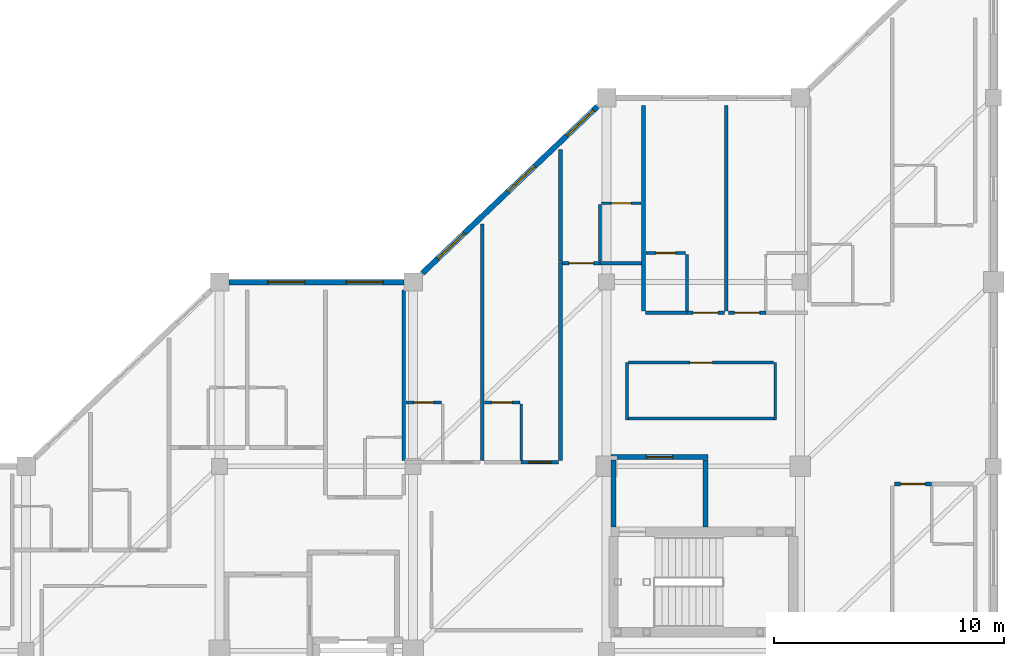
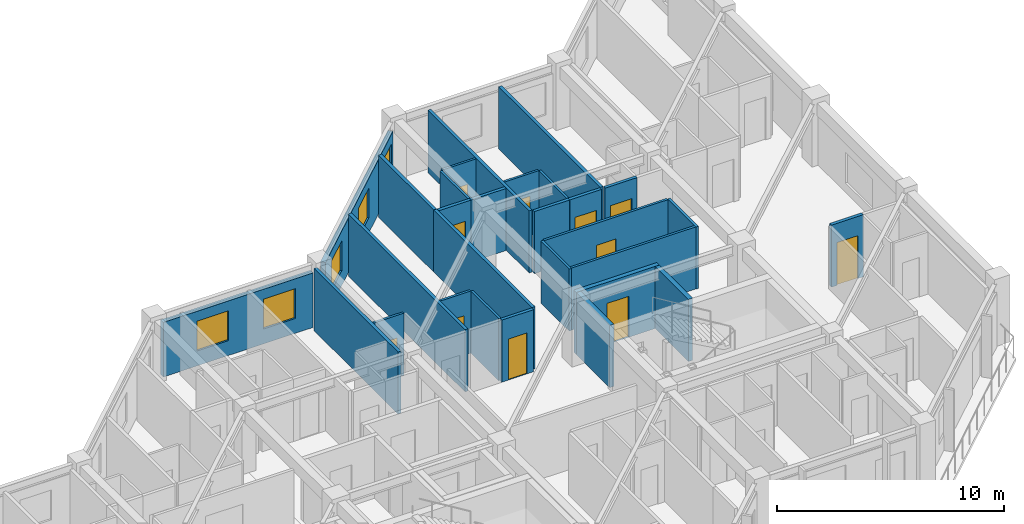
# One storey, part 13 of 17: 29 walls, 11 doors, 5 windows, 16 openings.
"""IFC4 building model written with IfcOpenShell, lengths in metres."""

from ifc_helpers import new_model, si_unit, direction, frame, frame_2d, origin, place, context, subcontext, project, spatial, rectangle, extrude, material, layer, layer_set, type_object, element, fill, save


model = new_model("IFC4")

# Units and contexts
model_context = context("Model", 3, precision=1e-05, world=origin(), true_north=direction((0.0, 1.0)))
body_context = subcontext(model_context, "Body", "Model", "MODEL_VIEW")
ifc_project = project(units=[si_unit("LENGTHUNIT", "METRE"), si_unit("AREAUNIT", "SQUARE_METRE"), si_unit("VOLUMEUNIT", "CUBIC_METRE"), si_unit("PLANEANGLEUNIT", "RADIAN"), si_unit("MASSUNIT", "GRAM", prefix="KILO")], contexts=[model_context])

# Site, building, storey
site_placement = place(None, origin())
site = spatial("IfcSite", under=ifc_project, at=site_placement, CompositionType="ELEMENT")
building_placement = place(site_placement, origin())
building = spatial("IfcBuilding", under=site, at=building_placement, Name="Naruveol Harbour Congress Hotel", CompositionType="ELEMENT")
storey_placement = place(building_placement, frame((0.0, 0.0, 25.199951171875)))
storey = spatial("IfcBuildingStorey", under=building, at=storey_placement, Name="L05", CompositionType="ELEMENT", Elevation=25.199951171875)

# Wall, opening, door
ifc_material_1 = material(Name="Moisture-Resistant Gypsum Partition", Category="gypsum")
ifc_layer_1 = layer(ifc_material_1, 0.114990234375)
ifc_layer_set_1 = layer_set([ifc_layer_1], Name="Moisture-Resistant Gypsum Partition")
wall_type_1 = type_object("IfcWallType", Name="BATHROOM MOISTURE PARTITION WALL 115", PredefinedType="PARTITIONING", material=ifc_layer_set_1)
wall_1_placement = place(storey_placement, frame((159.300048828125, 34.77001953125, 0.0), z_axis=(0.0, 0.0, 1.0), x_axis=(1.0, 0.0, 0.0)))
wall_1 = element("IfcWall", 1, at=wall_1_placement, inside=storey, type_object=wall_type_1, Name="Bathroom north wall 0646 PW-115", PredefinedType="PARTITIONING", context=body_context, shape_type="SweptSolid", body=[
    extrude(rectangle(XDim=1.530029296875, YDim=0.114990234375, at=frame_2d((0.76513671875, 0.0))), origin(), (0.0, 0.0, 1.0), 3.3349609375),
])
opening_1_placement = place(wall_1_placement, frame((0.3349609375, 0.0, 0.0)))
opening_1 = element("IfcOpeningElement", 2, at=opening_1_placement, cuts=wall_1, Name="Opening BD-RM0646", PredefinedType="OPENING", context=body_context, shape_type="SweptSolid", body=[
    extrude(rectangle(XDim=0.860107421875, YDim=2.1201171875, at=frame_2d((0.43017578125, 1.06005859375))), frame((0.0, 0.0673828125, 0.0), z_axis=(0.0, -1.0, 0.0), x_axis=(1.0, 0.0, 0.0)), (0.0, 0.0, 1.0), 0.135009765625),
])
ifc_material_2 = material(Name="Timber & Steel Acoustic Leaf", Category="steel")
door_type_1 = type_object("IfcDoorType", Name="GUEST BATHROOM DOOR 860X2120", OperationType="NOTDEFINED", PredefinedType="DOOR", material=ifc_material_2)
door_1_placement = place(opening_1_placement, origin())
door_1 = element("IfcDoor", 3, at=door_1_placement, inside=storey, type_object=door_type_1, Name="Bathroom Door 0646", OperationType="SINGLE_SWING_RIGHT", OverallHeight=2.1201171875, OverallWidth=0.860107421875, PredefinedType="DOOR", context=body_context, shape_type="SweptSolid", body=[
    extrude(rectangle(XDim=0.860107421875, YDim=2.1201171875, at=frame_2d((0.43017578125, 1.06005859375))), frame((0.0, 0.02490234375, 0.0), z_axis=(0.0, -1.0, 0.0), x_axis=(1.0, 0.0, 0.0)), (0.0, 0.0, 1.0), 0.050048828125),
])
fill(opening_1, door_1)

# Wall
wall_2_placement = place(storey_placement, frame((164.2900390625, 32.260009765625, 0.0), z_axis=(0.0, 0.0, 1.0), x_axis=(0.0, 1.0, 0.0)))
element("IfcWall", 4, at=wall_2_placement, inside=storey, type_object=wall_type_1, Name="Bathroom east wall 0647 PW-115", PredefinedType="PARTITIONING", context=body_context, shape_type="SweptSolid", body=[
    extrude(rectangle(XDim=2.449951171875, YDim=0.114990234375, at=frame_2d((1.22509765625, 0.0))), origin(), (0.0, 0.0, 1.0), 3.3349609375),
])

# Wall, opening, door
wall_3_placement = place(storey_placement, frame((162.699951171875, 34.77001953125, 0.0), z_axis=(0.0, 0.0, 1.0), x_axis=(1.0, 0.0, 0.0)))
wall_3 = element("IfcWall", 5, at=wall_3_placement, inside=storey, type_object=wall_type_1, Name="Bathroom north wall 0647 PW-115", PredefinedType="PARTITIONING", context=body_context, shape_type="SweptSolid", body=[
    extrude(rectangle(XDim=1.530029296875, YDim=0.114990234375, at=frame_2d((0.76513671875, 0.0))), origin(), (0.0, 0.0, 1.0), 3.3349609375),
])
opening_2_placement = place(wall_3_placement, frame((0.3349609375, 0.0, 0.0)))
opening_2 = element("IfcOpeningElement", 6, at=opening_2_placement, cuts=wall_3, Name="Opening BD-RM0647", PredefinedType="OPENING", context=body_context, shape_type="SweptSolid", body=[
    extrude(rectangle(XDim=0.860107421875, YDim=2.1201171875, at=frame_2d((0.43017578125, 1.06005859375))), frame((0.0, 0.0673828125, 0.0), z_axis=(0.0, -1.0, 0.0), x_axis=(1.0, 0.0, 0.0)), (0.0, 0.0, 1.0), 0.135009765625),
])
door_2_placement = place(opening_2_placement, origin())
door_2 = element("IfcDoor", 7, at=door_2_placement, inside=storey, type_object=door_type_1, Name="Bathroom Door 0647", OperationType="SINGLE_SWING_RIGHT", OverallHeight=2.1201171875, OverallWidth=0.860107421875, PredefinedType="DOOR", context=body_context, shape_type="SweptSolid", body=[
    extrude(rectangle(XDim=0.860107421875, YDim=2.1201171875, at=frame_2d((0.43017578125, 1.06005859375))), frame((0.0, 0.02490234375, 0.0), z_axis=(0.0, -1.0, 0.0), x_axis=(1.0, 0.0, 0.0)), (0.0, 0.0, 1.0), 0.050048828125),
])
fill(opening_2, door_2)

# Wall
wall_4_placement = place(storey_placement, frame((167.7099609375, 40.909912109375, 0.0), z_axis=(0.0, 0.0, 1.0), x_axis=(0.0, 1.0, 0.0)))
element("IfcWall", 8, at=wall_4_placement, inside=storey, type_object=wall_type_1, Name="Bathroom west wall 0648 PW-115", PredefinedType="PARTITIONING", context=body_context, shape_type="SweptSolid", body=[
    extrude(rectangle(XDim=2.4501953125, YDim=0.114990234375, at=frame_2d((1.22509765625, 0.0))), origin(), (0.0, 0.0, 1.0), 3.3349609375),
])

# Wall, opening, door
wall_5_placement = place(storey_placement, frame((167.77001953125, 43.419921875, 0.0), z_axis=(0.0, 0.0, 1.0), x_axis=(1.0, 0.0, 0.0)))
wall_5 = element("IfcWall", 9, at=wall_5_placement, inside=storey, type_object=wall_type_1, Name="Bathroom north wall 0648 PW-115", PredefinedType="PARTITIONING", context=body_context, shape_type="SweptSolid", body=[
    extrude(rectangle(XDim=1.72998046875, YDim=0.114990234375, at=frame_2d((0.864990234375, 0.0))), origin(), (0.0, 0.0, 1.0), 3.3349609375),
])
opening_3_placement = place(wall_5_placement, frame((0.43505859375, 0.0, 0.0)))
opening_3 = element("IfcOpeningElement", 10, at=opening_3_placement, cuts=wall_5, Name="Opening BD-RM0648", PredefinedType="OPENING", context=body_context, shape_type="SweptSolid", body=[
    extrude(rectangle(XDim=0.860107421875, YDim=2.1201171875, at=frame_2d((0.43017578125, 1.06005859375))), frame((0.0, 0.0673828125, 0.0), z_axis=(0.0, -1.0, 0.0), x_axis=(1.0, 0.0, 0.0)), (0.0, 0.0, 1.0), 0.135009765625),
])
door_3_placement = place(opening_3_placement, origin())
door_3 = element("IfcDoor", 11, at=door_3_placement, inside=storey, type_object=door_type_1, Name="Bathroom Door 0648", OperationType="SINGLE_SWING_RIGHT", OverallHeight=2.1201171875, OverallWidth=0.860107421875, PredefinedType="DOOR", context=body_context, shape_type="SweptSolid", body=[
    extrude(rectangle(XDim=0.860107421875, YDim=2.1201171875, at=frame_2d((0.43017578125, 1.06005859375))), frame((0.0, 0.02490234375, 0.0), z_axis=(0.0, -1.0, 0.0), x_axis=(1.0, 0.0, 0.0)), (0.0, 0.0, 1.0), 0.050048828125),
])
fill(opening_3, door_3)

# Wall
wall_6_placement = place(storey_placement, frame((171.489990234375, 38.75, 0.0), z_axis=(0.0, 0.0, 1.0), x_axis=(0.0, 1.0, 0.0)))
element("IfcWall", 12, at=wall_6_placement, inside=storey, type_object=wall_type_1, Name="Bathroom east wall 0649 PW-115", PredefinedType="PARTITIONING", context=body_context, shape_type="SweptSolid", body=[
    extrude(rectangle(XDim=2.449951171875, YDim=0.114990234375, at=frame_2d((1.22509765625, 0.0))), origin(), (0.0, 0.0, 1.0), 3.3349609375),
])

# Wall, opening, door
wall_7_placement = place(storey_placement, frame((169.699951171875, 41.260009765625, 0.0), z_axis=(0.0, 0.0, 1.0), x_axis=(1.0, 0.0, 0.0)))
wall_7 = element("IfcWall", 13, at=wall_7_placement, inside=storey, type_object=wall_type_1, Name="Bathroom north wall 0649 PW-115", PredefinedType="PARTITIONING", context=body_context, shape_type="SweptSolid", body=[
    extrude(rectangle(XDim=1.72998046875, YDim=0.114990234375, at=frame_2d((0.864990234375, 0.0))), origin(), (0.0, 0.0, 1.0), 3.3349609375),
])
opening_4_placement = place(wall_7_placement, frame((0.43505859375, 0.0, 0.0)))
opening_4 = element("IfcOpeningElement", 14, at=opening_4_placement, cuts=wall_7, Name="Opening BD-RM0649", PredefinedType="OPENING", context=body_context, shape_type="SweptSolid", body=[
    extrude(rectangle(XDim=0.860107421875, YDim=2.1201171875, at=frame_2d((0.43017578125, 1.06005859375))), frame((0.0, 0.0673828125, 0.0), z_axis=(0.0, -1.0, 0.0), x_axis=(1.0, 0.0, 0.0)), (0.0, 0.0, 1.0), 0.135009765625),
])
door_4_placement = place(opening_4_placement, origin())
door_4 = element("IfcDoor", 15, at=door_4_placement, inside=storey, type_object=door_type_1, Name="Bathroom Door 0649", OperationType="SINGLE_SWING_RIGHT", OverallHeight=2.1201171875, OverallWidth=0.860107421875, PredefinedType="DOOR", context=body_context, shape_type="SweptSolid", body=[
    extrude(rectangle(XDim=0.860107421875, YDim=2.1201171875, at=frame_2d((0.43017578125, 1.06005859375))), frame((0.0, 0.02490234375, 0.0), z_axis=(0.0, -1.0, 0.0), x_axis=(1.0, 0.0, 0.0)), (0.0, 0.0, 1.0), 0.050048828125),
])
fill(opening_4, door_4)

# Wall
ifc_material_3 = material(Name="Concrete C40/50", Category="concrete")
ifc_layer_2 = layer(ifc_material_3, 0.219970703125)
ifc_layer_set_2 = layer_set([ifc_layer_2], Name="Concrete C40/50")
wall_type_2 = type_object("IfcWallType", Name="FIRE COMPARTMENT AND LOBBY WALL 220 EI120", PredefinedType="PARTITIONING", material=ifc_layer_set_2)
wall_8_placement = place(storey_placement, frame((168.300048828125, 29.364990234375, 0.0), z_axis=(0.0, 0.0, 1.0), x_axis=(0.0, 1.0, 0.0)))
element("IfcWall", 16, at=wall_8_placement, inside=storey, type_object=wall_type_2, Name="Smoke vestibule ST4 west wall FW-220", PredefinedType="PARTITIONING", context=body_context, shape_type="SweptSolid", body=[
    extrude(rectangle(XDim=2.919921875, YDim=0.219970703125, at=frame_2d((1.4599609375, 0.0))), origin(), (0.0, 0.0, 1.0), 3.3349609375),
])

# Wall, opening, door
wall_9_placement = place(storey_placement, frame((168.18994140625, 32.39990234375, 0.0), z_axis=(0.0, 0.0, 1.0), x_axis=(1.0, 0.0, 0.0)))
wall_9 = element("IfcWall", 17, at=wall_9_placement, inside=storey, type_object=wall_type_2, Name="Smoke vestibule ST4 north wall FW-220", PredefinedType="PARTITIONING", context=body_context, shape_type="SweptSolid", body=[
    extrude(rectangle(XDim=4.219970703125, YDim=0.219970703125, at=frame_2d((2.10986328125, 0.0))), origin(), (0.0, 0.0, 1.0), 3.3349609375),
])
opening_5_placement = place(wall_9_placement, frame((1.550048828125, 0.0, 0.0)))
opening_5 = element("IfcOpeningElement", 18, at=opening_5_placement, cuts=wall_9, Name="Opening FD-ST4-V-L05", PredefinedType="OPENING", context=body_context, shape_type="SweptSolid", body=[
    extrude(rectangle(XDim=1.1201171875, YDim=2.199951171875, at=frame_2d((0.56005859375, 1.10009765625))), frame((0.0, 0.119873046875, 0.0), z_axis=(0.0, -1.0, 0.0), x_axis=(1.0, 0.0, 0.0)), (0.0, 0.0, 1.0), 0.239990234375),
])
ifc_material_4 = material(Name="Timber & Steel Acoustic Leaf", Category="steel")
door_type_2 = type_object("IfcDoorType", Name="VESTIBULE SMOKE CONTROL FIRE DOOR 1120X2200", OperationType="NOTDEFINED", PredefinedType="DOOR", material=ifc_material_4)
door_5_placement = place(opening_5_placement, origin())
door_5 = element("IfcDoor", 19, at=door_5_placement, inside=storey, type_object=door_type_2, Name="Smoke Vestibule Entry Door ST4 L05", OperationType="SINGLE_SWING_LEFT", OverallHeight=2.199951171875, OverallWidth=1.1201171875, PredefinedType="DOOR", context=body_context, shape_type="SweptSolid", body=[
    extrude(rectangle(XDim=1.1201171875, YDim=2.199951171875, at=frame_2d((0.56005859375, 1.10009765625))), frame((0.0, 0.02490234375, 0.0), z_axis=(0.0, -1.0, 0.0), x_axis=(1.0, 0.0, 0.0)), (0.0, 0.0, 1.0), 0.050048828125),
])
fill(opening_5, door_5)

# Walls
wall_10_placement = place(storey_placement, frame((172.300048828125, 29.364990234375, 0.0), z_axis=(0.0, 0.0, 1.0), x_axis=(0.0, 1.0, 0.0)))
element("IfcWall", 20, at=wall_10_placement, inside=storey, type_object=wall_type_2, Name="Smoke vestibule ST4 east wall FW-220", PredefinedType="PARTITIONING", context=body_context, shape_type="SweptSolid", body=[
    extrude(rectangle(XDim=2.919921875, YDim=0.219970703125, at=frame_2d((1.4599609375, 0.0))), origin(), (0.0, 0.0, 1.0), 3.3349609375),
])
ifc_material_5 = material(Name="Autoclaved Aerated Concrete Block", Category="concrete")
ifc_layer_3 = layer(ifc_material_5, 0.159912109375)
ifc_layer_set_3 = layer_set([ifc_layer_3], Name="Autoclaved Aerated Concrete Block")
wall_type_3 = type_object("IfcWallType", Name="HOTEL PARTY AND CORRIDOR WALL 160 EI60", PredefinedType="PARTITIONING", material=ifc_layer_set_3)
wall_11_placement = place(storey_placement, frame((159.199951171875, 32.260009765625, 0.0), z_axis=(0.0, 0.0, 1.0), x_axis=(0.0, 1.0, 0.0)))
element("IfcWall", 21, at=wall_11_placement, inside=storey, type_object=wall_type_3, Name="Hotel party wall 0646 PW-160", PredefinedType="PARTITIONING", context=body_context, shape_type="SweptSolid", body=[
    extrude(rectangle(XDim=7.39990234375, YDim=0.159912109375, at=frame_2d((3.699951171875, 0.0))), origin(), (0.0, 0.0, 1.0), 3.3349609375),
])

# Wall, opening, door
wall_12_placement = place(storey_placement, frame((164.2900390625, 32.169921875, 0.0), z_axis=(0.0, 0.0, 1.0), x_axis=(1.0, 0.0, 0.0)))
wall_12 = element("IfcWall", 22, at=wall_12_placement, inside=storey, type_object=wall_type_3, Name="Corridor entry wall 0647 PW-160", PredefinedType="PARTITIONING", context=body_context, shape_type="SweptSolid", body=[
    extrude(rectangle(XDim=1.619873046875, YDim=0.159912109375, at=frame_2d((0.81005859375, 0.0))), origin(), (0.0, 0.0, 1.0), 3.3349609375),
])
opening_6_placement = place(wall_12_placement, frame((0.330078125, 0.0, 0.0)))
opening_6 = element("IfcOpeningElement", 23, at=opening_6_placement, cuts=wall_12, Name="Opening FD-RM0647", PredefinedType="OPENING", context=body_context, shape_type="SweptSolid", body=[
    extrude(rectangle(XDim=0.9599609375, YDim=2.199951171875, at=frame_2d((0.47998046875, 1.10009765625))), frame((0.0, 0.08984375, 0.0), z_axis=(0.0, -1.0, 0.0), x_axis=(1.0, 0.0, 0.0)), (0.0, 0.0, 1.0), 0.179931640625),
])
ifc_material_6 = material(Name="Timber & Steel Acoustic Leaf", Category="steel")
door_type_3 = type_object("IfcDoorType", Name="GUEST ROOM ENTRANCE FIRE DOOR 960X2200", OperationType="NOTDEFINED", PredefinedType="DOOR", material=ifc_material_6)
door_6_placement = place(opening_6_placement, origin())
door_6 = element("IfcDoor", 24, at=door_6_placement, inside=storey, type_object=door_type_3, Name="Hotel Room Door 0647", OperationType="SINGLE_SWING_LEFT", OverallHeight=2.199951171875, OverallWidth=0.9599609375, PredefinedType="DOOR", context=body_context, shape_type="SweptSolid", body=[
    extrude(rectangle(XDim=0.9599609375, YDim=2.199951171875, at=frame_2d((0.47998046875, 1.10009765625))), frame((0.0, 0.02490234375, 0.0), z_axis=(0.0, -1.0, 0.0), x_axis=(1.0, 0.0, 0.0)), (0.0, 0.0, 1.0), 0.050048828125),
])
fill(opening_6, door_6)

# Walls
wall_13_placement = place(storey_placement, frame((162.60009765625, 32.260009765625, 0.0), z_axis=(0.0, 0.0, 1.0), x_axis=(0.0, 1.0, 0.0)))
element("IfcWall", 25, at=wall_13_placement, inside=storey, type_object=wall_type_3, Name="Hotel party wall 0647 PW-160", PredefinedType="PARTITIONING", context=body_context, shape_type="SweptSolid", body=[
    extrude(rectangle(XDim=10.260009765625, YDim=0.159912109375, at=frame_2d((5.1298828125, 0.0))), origin(), (0.0, 0.0, 1.0), 3.3349609375),
])
wall_14_placement = place(storey_placement, frame((166.0, 32.260009765625, 0.0), z_axis=(0.0, 0.0, 1.0), x_axis=(0.0, 1.0, 0.0)))
element("IfcWall", 26, at=wall_14_placement, inside=storey, type_object=wall_type_3, Name="Hotel end party wall 0647 PW-160", PredefinedType="PARTITIONING", context=body_context, shape_type="SweptSolid", body=[
    extrude(rectangle(XDim=8.639892578125, YDim=0.159912109375, at=frame_2d((4.31982421875, 0.0))), origin(), (0.0, 0.0, 1.0), 3.3349609375),
])

# Wall, opening, door
wall_15_placement = place(storey_placement, frame((166.090087890625, 40.820068359375, 0.0), z_axis=(0.0, 0.0, 1.0), x_axis=(1.0, 0.0, 0.0)))
wall_15 = element("IfcWall", 27, at=wall_15_placement, inside=storey, type_object=wall_type_3, Name="Corridor entry wall 0648 PW-160", PredefinedType="PARTITIONING", context=body_context, shape_type="SweptSolid", body=[
    extrude(rectangle(XDim=1.619873046875, YDim=0.159912109375, at=frame_2d((0.81005859375, 0.0))), origin(), (0.0, 0.0, 1.0), 3.3349609375),
])
opening_7_placement = place(wall_15_placement, frame((0.27001953125, 0.0, 0.0)))
opening_7 = element("IfcOpeningElement", 28, at=opening_7_placement, cuts=wall_15, Name="Opening FD-RM0648", PredefinedType="OPENING", context=body_context, shape_type="SweptSolid", body=[
    extrude(rectangle(XDim=1.080078125, YDim=2.300048828125, at=frame_2d((0.5400390625, 1.14990234375))), frame((0.0, 0.08984375, 0.0), z_axis=(0.0, -1.0, 0.0), x_axis=(1.0, 0.0, 0.0)), (0.0, 0.0, 1.0), 0.179931640625),
])
ifc_material_7 = material(Name="Timber & Steel Acoustic Leaf", Category="steel")
door_type_4 = type_object("IfcDoorType", Name="SUITE ENTRANCE FIRE DOOR 1080X2300", OperationType="NOTDEFINED", PredefinedType="DOOR", material=ifc_material_7)
door_7_placement = place(opening_7_placement, origin())
door_7 = element("IfcDoor", 29, at=door_7_placement, inside=storey, type_object=door_type_4, Name="Hotel Room Door 0648", OperationType="SINGLE_SWING_LEFT", OverallHeight=2.300048828125, OverallWidth=1.080078125, PredefinedType="DOOR", context=body_context, shape_type="SweptSolid", body=[
    extrude(rectangle(XDim=1.080078125, YDim=2.300048828125, at=frame_2d((0.5400390625, 1.14990234375))), frame((0.0, 0.02490234375, 0.0), z_axis=(0.0, -1.0, 0.0), x_axis=(1.0, 0.0, 0.0)), (0.0, 0.0, 1.0), 0.050048828125),
])
fill(opening_7, door_7)

# Walls
wall_16_placement = place(storey_placement, frame((167.719970703125, 40.820068359375, 0.0), z_axis=(0.0, 0.0, 1.0), x_axis=(1.0, 0.0, 0.0)))
element("IfcWall", 30, at=wall_16_placement, inside=storey, type_object=wall_type_3, Name="Corridor wall 0648B PW-160", PredefinedType="PARTITIONING", context=body_context, shape_type="SweptSolid", body=[
    extrude(rectangle(XDim=1.7900390625, YDim=0.159912109375, at=frame_2d((0.89501953125, 0.0))), origin(), (0.0, 0.0, 1.0), 3.3349609375),
])
wall_17_placement = place(storey_placement, frame((166.0, 40.909912109375, 0.0), z_axis=(0.0, 0.0, 1.0), x_axis=(0.0, 1.0, 0.0)))
element("IfcWall", 31, at=wall_17_placement, inside=storey, type_object=wall_type_3, Name="Hotel party wall 0648 PW-160", PredefinedType="PARTITIONING", context=body_context, shape_type="SweptSolid", body=[
    extrude(rectangle(XDim=4.85009765625, YDim=0.159912109375, at=frame_2d((2.425048828125, 0.0))), origin(), (0.0, 0.0, 1.0), 3.3349609375),
])
wall_18_placement = place(storey_placement, frame((169.68994140625, 38.659912109375, 0.0), z_axis=(0.0, 0.0, 1.0), x_axis=(1.0, 0.0, 0.0)))
element("IfcWall", 32, at=wall_18_placement, inside=storey, type_object=wall_type_3, Name="Corridor wall 0649B PW-160", PredefinedType="PARTITIONING", context=body_context, shape_type="SweptSolid", body=[
    extrude(rectangle(XDim=1.7900390625, YDim=0.159912109375, at=frame_2d((0.89501953125, 0.0))), origin(), (0.0, 0.0, 1.0), 3.3349609375),
])

# Wall, opening, door
wall_19_placement = place(storey_placement, frame((171.489990234375, 38.659912109375, 0.0), z_axis=(0.0, 0.0, 1.0), x_axis=(1.0, 0.0, 0.0)))
wall_19 = element("IfcWall", 33, at=wall_19_placement, inside=storey, type_object=wall_type_3, Name="Corridor entry wall 0649 PW-160", PredefinedType="PARTITIONING", context=body_context, shape_type="SweptSolid", body=[
    extrude(rectangle(XDim=1.6201171875, YDim=0.159912109375, at=frame_2d((0.81005859375, 0.0))), origin(), (0.0, 0.0, 1.0), 3.3349609375),
])
opening_8_placement = place(wall_19_placement, frame((0.27001953125, 0.0, 0.0)))
opening_8 = element("IfcOpeningElement", 34, at=opening_8_placement, cuts=wall_19, Name="Opening FD-RM0649", PredefinedType="OPENING", context=body_context, shape_type="SweptSolid", body=[
    extrude(rectangle(XDim=1.080078125, YDim=2.300048828125, at=frame_2d((0.5400390625, 1.14990234375))), frame((0.0, 0.08984375, 0.0), z_axis=(0.0, -1.0, 0.0), x_axis=(1.0, 0.0, 0.0)), (0.0, 0.0, 1.0), 0.179931640625),
])
door_8_placement = place(opening_8_placement, origin())
door_8 = element("IfcDoor", 35, at=door_8_placement, inside=storey, type_object=door_type_4, Name="Hotel Room Door 0649", OperationType="SINGLE_SWING_LEFT", OverallHeight=2.300048828125, OverallWidth=1.080078125, PredefinedType="DOOR", context=body_context, shape_type="SweptSolid", body=[
    extrude(rectangle(XDim=1.080078125, YDim=2.300048828125, at=frame_2d((0.5400390625, 1.14990234375))), frame((0.0, 0.02490234375, 0.0), z_axis=(0.0, -1.0, 0.0), x_axis=(1.0, 0.0, 0.0)), (0.0, 0.0, 1.0), 0.050048828125),
])
fill(opening_8, door_8)

# Wall
wall_20_placement = place(storey_placement, frame((169.60009765625, 38.75, 0.0), z_axis=(0.0, 0.0, 1.0), x_axis=(0.0, 1.0, 0.0)))
element("IfcWall", 36, at=wall_20_placement, inside=storey, type_object=wall_type_3, Name="Hotel party wall 0649 PW-160", PredefinedType="PARTITIONING", context=body_context, shape_type="SweptSolid", body=[
    extrude(rectangle(XDim=8.909912109375, YDim=0.159912109375, at=frame_2d((4.455078125, 0.0))), origin(), (0.0, 0.0, 1.0), 3.3349609375),
])

# Wall, opening, door
wall_21_placement = place(storey_placement, frame((173.2900390625, 38.659912109375, 0.0), z_axis=(0.0, 0.0, 1.0), x_axis=(1.0, 0.0, 0.0)))
wall_21 = element("IfcWall", 37, at=wall_21_placement, inside=storey, type_object=wall_type_3, Name="Corridor entry wall 0650 PW-160", PredefinedType="PARTITIONING", context=body_context, shape_type="SweptSolid", body=[
    extrude(rectangle(XDim=1.619873046875, YDim=0.159912109375, at=frame_2d((0.81005859375, 0.0))), origin(), (0.0, 0.0, 1.0), 3.3349609375),
])
opening_9_placement = place(wall_21_placement, frame((0.27001953125, 0.0, 0.0)))
opening_9 = element("IfcOpeningElement", 38, at=opening_9_placement, cuts=wall_21, Name="Opening FD-RM0650", PredefinedType="OPENING", context=body_context, shape_type="SweptSolid", body=[
    extrude(rectangle(XDim=1.080078125, YDim=2.300048828125, at=frame_2d((0.5400390625, 1.14990234375))), frame((0.0, 0.08984375, 0.0), z_axis=(0.0, -1.0, 0.0), x_axis=(1.0, 0.0, 0.0)), (0.0, 0.0, 1.0), 0.179931640625),
])
door_9_placement = place(opening_9_placement, origin())
door_9 = element("IfcDoor", 39, at=door_9_placement, inside=storey, type_object=door_type_4, Name="Hotel Room Door 0650", OperationType="SINGLE_SWING_LEFT", OverallHeight=2.300048828125, OverallWidth=1.080078125, PredefinedType="DOOR", context=body_context, shape_type="SweptSolid", body=[
    extrude(rectangle(XDim=1.080078125, YDim=2.300048828125, at=frame_2d((0.5400390625, 1.14990234375))), frame((0.0, 0.02490234375, 0.0), z_axis=(0.0, -1.0, 0.0), x_axis=(1.0, 0.0, 0.0)), (0.0, 0.0, 1.0), 0.050048828125),
])
fill(opening_9, door_9)

# Wall
wall_22_placement = place(storey_placement, frame((173.199951171875, 38.75, 0.0), z_axis=(0.0, 0.0, 1.0), x_axis=(0.0, 1.0, 0.0)))
element("IfcWall", 40, at=wall_22_placement, inside=storey, type_object=wall_type_3, Name="Hotel party wall 0650 PW-160", PredefinedType="PARTITIONING", context=body_context, shape_type="SweptSolid", body=[
    extrude(rectangle(XDim=8.909912109375, YDim=0.159912109375, at=frame_2d((4.455078125, 0.0))), origin(), (0.0, 0.0, 1.0), 3.3349609375),
])

# Wall, opening, door
wall_23_placement = place(storey_placement, frame((180.489990234375, 31.22998046875, 0.0), z_axis=(0.0, 0.0, 1.0), x_axis=(1.0, 0.0, 0.0)))
wall_23 = element("IfcWall", 41, at=wall_23_placement, inside=storey, type_object=wall_type_3, Name="Corridor entry wall 0633 PW-160", PredefinedType="PARTITIONING", context=body_context, shape_type="SweptSolid", body=[
    extrude(rectangle(XDim=1.6201171875, YDim=0.159912109375, at=frame_2d((0.81005859375, 0.0))), origin(), (0.0, 0.0, 1.0), 3.3349609375),
])
opening_10_placement = place(wall_23_placement, frame((0.27001953125, 0.0, 0.0)))
opening_10 = element("IfcOpeningElement", 42, at=opening_10_placement, cuts=wall_23, Name="Opening FD-RM0633", PredefinedType="OPENING", context=body_context, shape_type="SweptSolid", body=[
    extrude(rectangle(XDim=1.080078125, YDim=2.300048828125, at=frame_2d((0.5400390625, 1.14990234375))), frame((0.0, 0.08984375, 0.0), z_axis=(0.0, -1.0, 0.0), x_axis=(1.0, 0.0, 0.0)), (0.0, 0.0, 1.0), 0.179931640625),
])
door_10_placement = place(opening_10_placement, origin())
door_10 = element("IfcDoor", 43, at=door_10_placement, inside=storey, type_object=door_type_4, Name="Hotel Room Door 0633", OperationType="SINGLE_SWING_LEFT", OverallHeight=2.300048828125, OverallWidth=1.080078125, PredefinedType="DOOR", context=body_context, shape_type="SweptSolid", body=[
    extrude(rectangle(XDim=1.080078125, YDim=2.300048828125, at=frame_2d((0.5400390625, 1.14990234375))), frame((0.0, 0.02490234375, 0.0), z_axis=(0.0, -1.0, 0.0), x_axis=(1.0, 0.0, 0.0)), (0.0, 0.0, 1.0), 0.050048828125),
])
fill(opening_10, door_10)

# Wall, openings, windows
ifc_material_8 = material(Name="Concrete C40/50", Category="concrete")
ifc_layer_4 = layer(ifc_material_8, 0.239990234375)
ifc_layer_set_4 = layer_set([ifc_layer_4], Name="Concrete C40/50")
wall_type_4 = type_object("IfcWallType", Name="INSULATED HOTEL SPANDREL WALL 240", PredefinedType="SOLIDWALL", material=ifc_layer_set_4)
wall_24_placement = place(storey_placement, frame((151.60009765625, 40.0, 0.0), z_axis=(0.0, 0.0, 1.0), x_axis=(1.0, 0.0, 0.0)))
wall_24 = element("IfcWall", 44, at=wall_24_placement, inside=storey, type_object=wall_type_4, Name="Hotel north bay wall L05 EW-240", PredefinedType="SOLIDWALL", context=body_context, shape_type="SweptSolid", body=[
    extrude(rectangle(XDim=7.599853515625, YDim=0.239990234375, at=frame_2d((3.7998046875, 0.0))), origin(), (0.0, 0.0, 1.0), 2.929931640625),
])
opening_11_placement = place(wall_24_placement, frame((1.699951171875, 0.0, 0.800048828125)))
opening_11 = element("IfcOpeningElement", 45, at=opening_11_placement, cuts=wall_24, Name="Opening W-03", PredefinedType="OPENING", context=body_context, shape_type="SweptSolid", body=[
    extrude(rectangle(XDim=1.60009765625, YDim=1.60009765625, at=frame_2d((0.800048828125, 0.800048828125))), frame((0.0, 0.1298828125, 0.0), z_axis=(0.0, -1.0, 0.0), x_axis=(1.0, 0.0, 0.0)), (0.0, 0.0, 1.0), 0.260009765625),
])
opening_12_placement = place(wall_24_placement, frame((5.10009765625, 0.0, 0.800048828125)))
opening_12 = element("IfcOpeningElement", 46, at=opening_12_placement, cuts=wall_24, Name="Opening W-03", PredefinedType="OPENING", context=body_context, shape_type="SweptSolid", body=[
    extrude(rectangle(XDim=1.60009765625, YDim=1.60009765625, at=frame_2d((0.800048828125, 0.800048828125))), frame((0.0, 0.1298828125, 0.0), z_axis=(0.0, -1.0, 0.0), x_axis=(1.0, 0.0, 0.0)), (0.0, 0.0, 1.0), 0.260009765625),
])
ifc_material_9 = material(Name="Low-E Triple Glazing in Thermal Aluminium", Category="aluminium")
window_type = type_object("IfcWindowType", Name="DELUXE GUEST WINDOW 1600X1600", PartitioningType="SINGLE_PANEL", PredefinedType="WINDOW", material=ifc_material_9)
window_1_placement = place(opening_11_placement, origin())
window_1 = element("IfcWindow", 47, at=window_1_placement, inside=storey, type_object=window_type, Name="Window W-03 #325", OverallHeight=1.60009765625, OverallWidth=1.60009765625, PartitioningType="SINGLE_PANEL", PredefinedType="WINDOW", context=body_context, shape_type="SweptSolid", body=[
    extrude(rectangle(XDim=1.60009765625, YDim=1.60009765625, at=frame_2d((0.800048828125, 0.800048828125))), frame((0.0, 0.030029296875, 0.0), z_axis=(0.0, -1.0, 0.0), x_axis=(1.0, 0.0, 0.0)), (0.0, 0.0, 1.0), 0.06005859375),
])
fill(opening_11, window_1)
window_2_placement = place(opening_12_placement, origin())
window_2 = element("IfcWindow", 48, at=window_2_placement, inside=storey, type_object=window_type, Name="Window W-03 #326", OverallHeight=1.60009765625, OverallWidth=1.60009765625, PartitioningType="SINGLE_PANEL", PredefinedType="WINDOW", context=body_context, shape_type="SweptSolid", body=[
    extrude(rectangle(XDim=1.60009765625, YDim=1.60009765625, at=frame_2d((0.800048828125, 0.800048828125))), frame((0.0, 0.030029296875, 0.0), z_axis=(0.0, -1.0, 0.0), x_axis=(1.0, 0.0, 0.0)), (0.0, 0.0, 1.0), 0.06005859375),
])
fill(opening_12, window_2)

wall_25_placement = place(storey_placement, frame((160.0, 40.381103515625, 0.0), z_axis=(0.0, 0.0, 1.0), x_axis=(0.724156739794, 0.689635422677, 0.0)))
wall_25 = element("IfcWall", 49, at=wall_25_placement, inside=storey, type_object=wall_type_4, Name="Hotel north bay wall L05 EW-240", PredefinedType="SOLIDWALL", context=body_context, shape_type="SweptSolid", body=[
    extrude(rectangle(XDim=10.4951171875, YDim=0.239990234375, at=frame_2d((5.24755859375, 0.0))), origin(), (0.0, 0.0, 1.0), 2.929931640625),
])
opening_13_placement = place(wall_25_placement, frame((0.926025390625, 0.0, 0.800048828125)))
opening_13 = element("IfcOpeningElement", 50, at=opening_13_placement, cuts=wall_25, Name="Opening W-03", PredefinedType="OPENING", context=body_context, shape_type="SweptSolid", body=[
    extrude(rectangle(XDim=1.60009765625, YDim=1.60009765625, at=frame_2d((0.800048828125, 0.800048828125))), frame((0.0, 0.1298828125, 0.0), z_axis=(0.0, -1.0, 0.0), x_axis=(1.0, 0.0, 0.0)), (0.0, 0.0, 1.0), 0.260009765625),
])
opening_14_placement = place(wall_25_placement, frame((5.137939453125, 0.0, 0.800048828125)))
opening_14 = element("IfcOpeningElement", 51, at=opening_14_placement, cuts=wall_25, Name="Opening W-03", PredefinedType="OPENING", context=body_context, shape_type="SweptSolid", body=[
    extrude(rectangle(XDim=1.60009765625, YDim=1.60009765625, at=frame_2d((0.800048828125, 0.800048828125))), frame((0.0, 0.1298828125, 0.0), z_axis=(0.0, -1.0, 0.0), x_axis=(1.0, 0.0, 0.0)), (0.0, 0.0, 1.0), 0.260009765625),
])
opening_15_placement = place(wall_25_placement, frame((8.658935546875, 0.0, 0.800048828125)))
opening_15 = element("IfcOpeningElement", 52, at=opening_15_placement, cuts=wall_25, Name="Opening W-03", PredefinedType="OPENING", context=body_context, shape_type="SweptSolid", body=[
    extrude(rectangle(XDim=1.60009765625, YDim=1.60009765625, at=frame_2d((0.800048828125, 0.800048828125))), frame((0.0, 0.1298828125, 0.0), z_axis=(0.0, -1.0, 0.0), x_axis=(1.0, 0.0, 0.0)), (0.0, 0.0, 1.0), 0.260009765625),
])
window_3_placement = place(opening_13_placement, origin())
window_3 = element("IfcWindow", 53, at=window_3_placement, inside=storey, type_object=window_type, Name="Window W-03 #329", OverallHeight=1.60009765625, OverallWidth=1.60009765625, PartitioningType="SINGLE_PANEL", PredefinedType="WINDOW", context=body_context, shape_type="SweptSolid", body=[
    extrude(rectangle(XDim=1.60009765625, YDim=1.60009765625, at=frame_2d((0.800048828125, 0.800048828125))), frame((0.0, 0.030029296875, 0.0), z_axis=(0.0, -1.0, 0.0), x_axis=(1.0, 0.0, 0.0)), (0.0, 0.0, 1.0), 0.06005859375),
])
fill(opening_13, window_3)
window_4_placement = place(opening_14_placement, origin())
window_4 = element("IfcWindow", 54, at=window_4_placement, inside=storey, type_object=window_type, Name="Window W-03 #330", OverallHeight=1.60009765625, OverallWidth=1.60009765625, PartitioningType="SINGLE_PANEL", PredefinedType="WINDOW", context=body_context, shape_type="SweptSolid", body=[
    extrude(rectangle(XDim=1.60009765625, YDim=1.60009765625, at=frame_2d((0.800048828125, 0.800048828125))), frame((0.0, 0.030029296875, 0.0), z_axis=(0.0, -1.0, 0.0), x_axis=(1.0, 0.0, 0.0)), (0.0, 0.0, 1.0), 0.06005859375),
])
fill(opening_14, window_4)
window_5_placement = place(opening_15_placement, origin())
window_5 = element("IfcWindow", 55, at=window_5_placement, inside=storey, type_object=window_type, Name="Window W-03 #331", OverallHeight=1.60009765625, OverallWidth=1.60009765625, PartitioningType="SINGLE_PANEL", PredefinedType="WINDOW", context=body_context, shape_type="SweptSolid", body=[
    extrude(rectangle(XDim=1.60009765625, YDim=1.60009765625, at=frame_2d((0.800048828125, 0.800048828125))), frame((0.0, 0.030029296875, 0.0), z_axis=(0.0, -1.0, 0.0), x_axis=(1.0, 0.0, 0.0)), (0.0, 0.0, 1.0), 0.06005859375),
])
fill(opening_15, window_5)

# Wall, opening, door
ifc_material_10 = material(Name="Acoustic Double Stud Gypsum", Category="gypsum")
ifc_layer_5 = layer(ifc_material_10, 0.125)
ifc_layer_set_5 = layer_set([ifc_layer_5], Name="Acoustic Double Stud Gypsum")
wall_type_5 = type_object("IfcWallType", Name="SERVICE CHASE PARTITION WALL 125", PredefinedType="PARTITIONING", material=ifc_layer_set_5)
wall_26_placement = place(storey_placement, frame((168.9599609375, 36.5, 0.0), z_axis=(0.0, 0.0, 1.0), x_axis=(1.0, 0.0, 0.0)))
wall_26 = element("IfcWall", 56, at=wall_26_placement, inside=storey, type_object=wall_type_5, Name="Accessible Restroom north entry wall PW-125", PredefinedType="PARTITIONING", context=body_context, shape_type="SweptSolid", body=[
    extrude(rectangle(XDim=6.280029296875, YDim=0.125, at=frame_2d((3.14013671875, 0.0))), origin(), (0.0, 0.0, 1.0), 3.3349609375),
])
opening_16_placement = place(wall_26_placement, frame((2.64990234375, 0.0, 0.0)))
opening_16 = element("IfcOpeningElement", 57, at=opening_16_placement, cuts=wall_26, Name="Opening BD-ACC-L05-106", PredefinedType="OPENING", context=body_context, shape_type="SweptSolid", body=[
    extrude(rectangle(XDim=0.97998046875, YDim=2.14990234375, at=frame_2d((0.489990234375, 1.074951171875))), frame((0.0, 0.072509765625, 0.0), z_axis=(0.0, -1.0, 0.0), x_axis=(1.0, 0.0, 0.0)), (0.0, 0.0, 1.0), 0.14501953125),
])
ifc_material_11 = material(Name="Timber & Steel Acoustic Leaf", Category="steel")
door_type_5 = type_object("IfcDoorType", Name="ACCESSIBLE RESTROOM DOOR 980X2150", OperationType="NOTDEFINED", PredefinedType="DOOR", material=ifc_material_11)
door_11_placement = place(opening_16_placement, origin())
door_11 = element("IfcDoor", 58, at=door_11_placement, inside=storey, type_object=door_type_5, Name="Accessible Restroom Door L05", OperationType="SINGLE_SWING_LEFT", OverallHeight=2.14990234375, OverallWidth=0.97998046875, PredefinedType="DOOR", context=body_context, shape_type="SweptSolid", body=[
    extrude(rectangle(XDim=0.97998046875, YDim=2.14990234375, at=frame_2d((0.489990234375, 1.074951171875))), frame((0.0, 0.02490234375, 0.0), z_axis=(0.0, -1.0, 0.0), x_axis=(1.0, 0.0, 0.0)), (0.0, 0.0, 1.0), 0.050048828125),
])
fill(opening_16, door_11)

# Walls
for number, where, z_axis, x_axis, name in (
    (59, (168.8798828125, 34.0, 0.0), (0.0, 0.0, 1.0), (0.0, 1.0, 0.0), "Accessible Restroom west enclosure partition PW-125"),
    (60, (175.320068359375, 34.0, 0.0), (0.0, 0.0, 1.0), (0.0, 1.0, 0.0), "Accessible Restroom east enclosure partition PW-125"),
):
    element("IfcWall", number, at=place(storey_placement, frame(where, z_axis=z_axis, x_axis=x_axis)), inside=storey, type_object=wall_type_5, Name=name, PredefinedType="PARTITIONING", context=body_context, shape_type="SweptSolid", body=[
        extrude(rectangle(XDim=2.49609375, YDim=0.125, at=frame_2d((1.248046875, 0.0))), origin(), (0.0, 0.0, 1.0), 3.3349609375),
    ])
wall_27_placement = place(storey_placement, frame((168.943115234375, 34.080078125, 0.0), z_axis=(0.0, 0.0, 1.0), x_axis=(1.0, 0.0, 0.0)))
element("IfcWall", 61, at=wall_27_placement, inside=storey, type_object=wall_type_5, Name="Accessible Restroom south enclosure partition PW-125", PredefinedType="PARTITIONING", context=body_context, shape_type="SweptSolid", body=[
    extrude(rectangle(XDim=6.31396484375, YDim=0.125, at=frame_2d((3.156982421875, 0.0))), origin(), (0.0, 0.0, 1.0), 3.3349609375),
])

save(model, "model.ifc")
